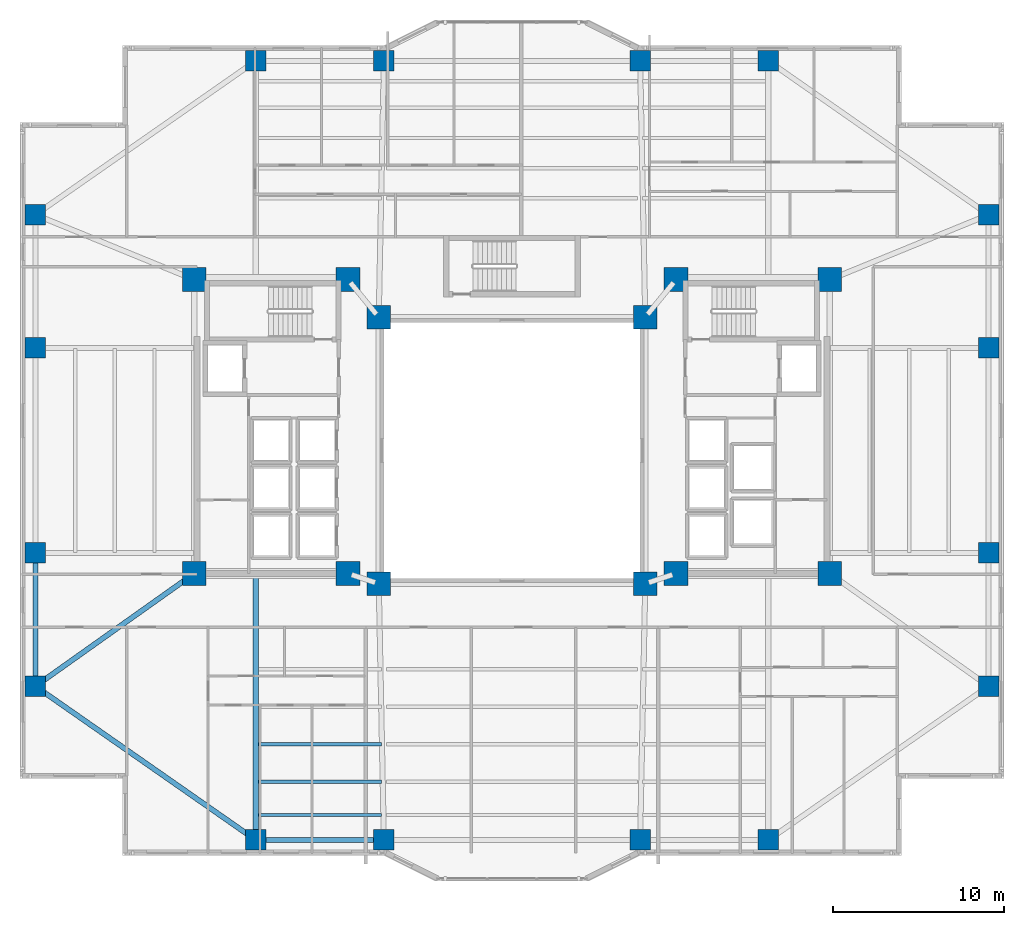
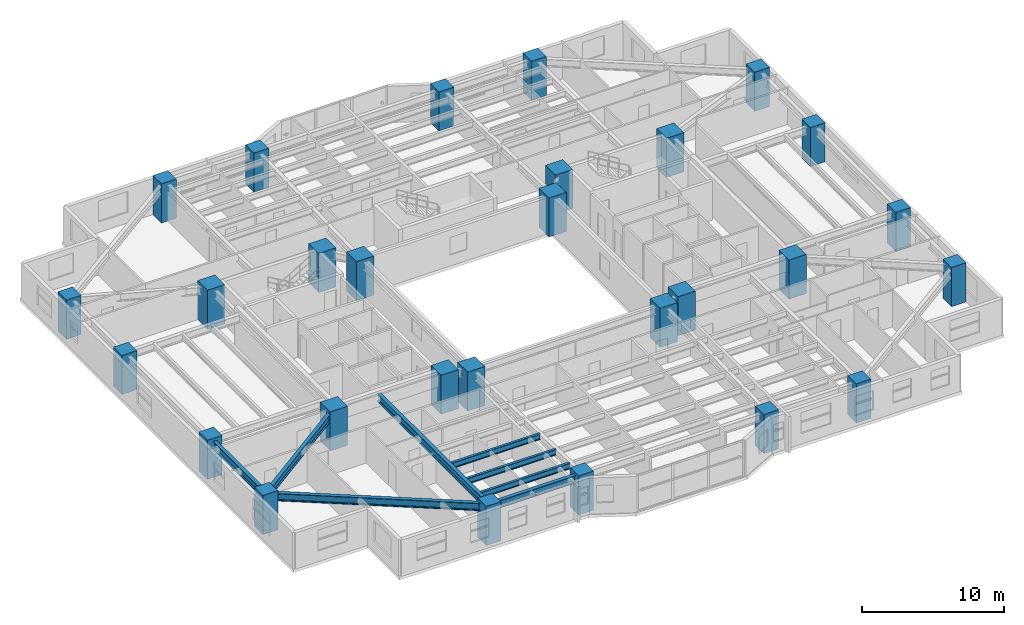
# One storey, part 1 of 20: 28 columns, 8 beams.
"""IFC4 building model written with IfcOpenShell, lengths in metres."""

import ifcopenshell
import ifcopenshell.guid

model = None  # the IFC model being written
_history = None  # IfcOwnerHistory: only IFC2X3 demands one
_inside = {}  # id of a spatial element -> (the spatial element, [elements in it])
_under = {}  # id of a project, library or spatial element -> (it, [spatial elements below it])
_declared = {}  # id of a project -> (the project, [libraries it declares])
_typed = {}  # id of a type object -> (the type object, [elements of that type])
_made_of = {}  # id of a material, layer set ... -> (it, [elements and type objects made of it])


def new_model(schema):
    """Start an empty IFC model of exactly this schema.

    Asked for "IFC4X3", IfcOpenShell would pick the latest addendum, in which some entities
    have other attributes; the version numbers below select the first issue.
    IFC2X3 requires an IfcOwnerHistory on every rooted entity: one is made here for all.
    """
    global model, _history
    if schema == "IFC4X3":
        model = ifcopenshell.file(schema_version=(4, 3, 0, 0))
    else:
        model = ifcopenshell.file(schema=schema)
    _inside.clear()
    _under.clear()
    _declared.clear()
    _typed.clear()
    _made_of.clear()
    _history = None
    if model.schema == "IFC2X3":
        org = make("IfcOrganization", Name="unknown")
        user = make(
            "IfcPersonAndOrganization",
            ThePerson=make("IfcPerson", FamilyName="unknown"),
            TheOrganization=org,
        )
        app = make(
            "IfcApplication",
            ApplicationDeveloper=org,
            Version="unknown",
            ApplicationFullName="unknown",
            ApplicationIdentifier="unknown",
        )
        _history = make(
            "IfcOwnerHistory",
            OwningUser=user,
            OwningApplication=app,
            ChangeAction="ADDED",
            CreationDate=0,
        )
    return model


def make(cls, **values):
    """One entity of the class cls with the attributes given. An attribute that is None is left unset."""
    return model.create_entity(
        cls, **{name: value for name, value in values.items() if value is not None}
    )


def rooted(cls, **values):
    """An entity with a GlobalId (a new one), such as an element, a storey or a relation."""
    return make(cls, GlobalId=ifcopenshell.guid.new(), OwnerHistory=_history, **values)


def si_unit(unit_type, name, prefix=None):
    """IfcSIUnit, for example si_unit("LENGTHUNIT", "METRE", prefix="MILLI")."""
    return make("IfcSIUnit", UnitType=unit_type, Prefix=prefix, Name=name)


def assignment(units):
    """IfcUnitAssignment: the units of a project."""
    return None if units is None else make("IfcUnitAssignment", Units=units)


def point(xyz):
    """IfcCartesianPoint."""
    return None if xyz is None else make("IfcCartesianPoint", Coordinates=xyz)


def direction(xyz):
    """IfcDirection."""
    return None if xyz is None else make("IfcDirection", DirectionRatios=xyz)


def frame(location, z_axis=None, x_axis=None):
    """IfcAxis2Placement3D, a coordinate frame: its origin and axes. An axis left out is left unset."""
    return make(
        "IfcAxis2Placement3D",
        Location=point(location),
        Axis=direction(z_axis),
        RefDirection=direction(x_axis),
    )


def frame_2d(location, x_axis=None):
    """IfcAxis2Placement2D, a coordinate frame in the plane: its origin and x axis."""
    return make(
        "IfcAxis2Placement2D", Location=point(location), RefDirection=direction(x_axis)
    )


def origin():
    """The frame at (0, 0, 0) with its axes left unset."""
    return frame((0.0, 0.0, 0.0))


def origin_2d():
    """The frame at (0, 0) in the plane with its x axis left unset."""
    return frame_2d((0.0, 0.0))


def place(relative_to, where):
    """IfcLocalPlacement: puts the frame where relative to a parent placement (None: the world)."""
    return make(
        "IfcLocalPlacement", PlacementRelTo=relative_to, RelativePlacement=where
    )


def context(
    kind, dimensions, precision=None, world=None, true_north=None, identifier=None
):
    """IfcGeometricRepresentationContext, for example the 3D "Model" context."""
    return make(
        "IfcGeometricRepresentationContext",
        ContextIdentifier=identifier,
        ContextType=kind,
        CoordinateSpaceDimension=dimensions,
        Precision=precision,
        WorldCoordinateSystem=world,
        TrueNorth=true_north,
    )


def subcontext(parent, identifier, kind, view, scale=None):
    """IfcGeometricRepresentationSubContext, for example "Body" below "Model"."""
    return make(
        "IfcGeometricRepresentationSubContext",
        ContextIdentifier=identifier,
        ContextType=kind,
        ParentContext=parent,
        TargetScale=scale,
        TargetView=view,
    )


def project(units=None, contexts=None):
    """IfcProject with its units and contexts."""
    return rooted(
        "IfcProject",
        Name="project",
        RepresentationContexts=contexts,
        UnitsInContext=assignment(units),
    )


def spatial(cls, under=None, at=None, **own):
    """A site, building, storey or space (cls), placed at a placement, below another one or the project."""
    s = rooted(cls, ObjectPlacement=at, **own)
    if under is not None:
        _under.setdefault(under.id(), (under, []))[1].append(s)
    return s


def profile(cls, at=None, kind="AREA", **sizes):
    """A parametric profile (cls). Its sizes go by their IFC names, for example OverallWidth=200.0."""
    return make(cls, ProfileType=kind, Position=at, **sizes)


def rectangle(**sizes):
    """IfcRectangleProfileDef."""
    return profile("IfcRectangleProfileDef", **sizes)


def i_section(**sizes):
    """IfcIShapeProfileDef."""
    return profile("IfcIShapeProfileDef", **sizes)


def extrude(swept, where, along, depth):
    """IfcExtrudedAreaSolid: the profile swept, set in the frame where, extruded along a direction by depth."""
    return make(
        "IfcExtrudedAreaSolid",
        SweptArea=swept,
        Position=where,
        ExtrudedDirection=direction(along),
        Depth=depth,
    )


def shape(context_of_items, identifier, shape_type, items):
    """IfcShapeRepresentation: the items that make up one representation, for example the "Body"."""
    return make(
        "IfcShapeRepresentation",
        ContextOfItems=context_of_items,
        RepresentationIdentifier=identifier,
        RepresentationType=shape_type,
        Items=items,
    )


def material(Name=None, Category=None):
    """IfcMaterial."""
    return make("IfcMaterial", Name=Name, Category=Category)


def material_profile(
    of_material, cross_section, Name=None, Category=None, Priority=None
):
    """IfcMaterialProfile: a cross section and its material."""
    return make(
        "IfcMaterialProfile",
        Name=Name,
        Material=of_material,
        Profile=cross_section,
        Priority=Priority,
        Category=Category,
    )


def profile_set(profiles, Name=None, composite=None):
    """IfcMaterialProfileSet."""
    return make(
        "IfcMaterialProfileSet",
        Name=Name,
        MaterialProfiles=profiles,
        CompositeProfile=composite,
    )


def made_of(thing, what):
    """Note that an element or type object is made of a material, layer set ...; save() writes the relation."""
    if what is not None:
        _made_of.setdefault(what.id(), (what, []))[1].append(thing)
    return thing


def type_object(cls, material=None, **own):
    """A type object (cls), such as IfcWallType, which elements share."""
    return made_of(rooted(cls, **own), material)


def element(
    cls,
    number,
    at=None,
    inside=None,
    cuts=None,
    type_object=None,
    material=None,
    context=None,
    identifier="Body",
    shape_type=None,
    held_by="IfcProductDefinitionShape",
    body=None,
    shapes=None,
    **own,
):
    """One element of the class cls, such as IfcWall. Its Tag is "e" and its number.

    at: its placement. inside: the storey or other place that contains it. cuts: it is an
    opening in that element (IfcRelVoidsElement). A single representation is given by context,
    identifier, shape_type and body (its items); several are given by shapes. held_by: the class
    of the entity that holds the representations. save() writes the other relations.
    """
    e = rooted(cls, Tag="e%d" % number, ObjectPlacement=at, **own)
    if body is not None:
        shapes = [shape(context, identifier, shape_type, body)]
    if shapes is not None:
        e.Representation = make(held_by, Representations=shapes)
    if inside is not None:
        _inside.setdefault(inside.id(), (inside, []))[1].append(e)
    if cuts is not None:
        rooted(
            "IfcRelVoidsElement", RelatingBuildingElement=cuts, RelatedOpeningElement=e
        )
    if type_object is not None:
        _typed.setdefault(type_object.id(), (type_object, []))[1].append(e)
    return made_of(e, material)


def aggregate(whole, parts):
    """IfcRelAggregates: a whole, such as a stair, and the parts it consists of."""
    return rooted("IfcRelAggregates", RelatingObject=whole, RelatedObjects=parts)


def save(model, path):
    """Write the relations noted so far, then the file.

    IfcRelAggregates (storeys below a building ...), IfcRelContainedInSpatialStructure (elements
    in a storey), IfcRelDefinesByType, IfcRelAssociatesMaterial and IfcRelDeclares: one each for
    every whole, place, type object, material and project.
    """
    for whole, parts in _under.values():
        aggregate(whole, parts)
    for where, things in _inside.values():
        rooted(
            "IfcRelContainedInSpatialStructure",
            RelatedElements=things,
            RelatingStructure=where,
        )
    for kind, things in _typed.values():
        rooted("IfcRelDefinesByType", RelatedObjects=things, RelatingType=kind)
    for what, things in _made_of.values():
        rooted("IfcRelAssociatesMaterial", RelatedObjects=things, RelatingMaterial=what)
    for by, libraries in _declared.values():
        rooted("IfcRelDeclares", RelatingContext=by, RelatedDefinitions=libraries)
    model.write(path)


model = new_model("IFC4")

# Units and contexts
model_context = context("Model", 3, precision=1e-05, world=origin(), true_north=direction((0.0, 1.0)))
body_context = subcontext(model_context, "Body", "Model", "MODEL_VIEW")
ifc_project = project(units=[si_unit("LENGTHUNIT", "METRE"), si_unit("AREAUNIT", "SQUARE_METRE"), si_unit("VOLUMEUNIT", "CUBIC_METRE"), si_unit("PLANEANGLEUNIT", "RADIAN"), si_unit("MASSUNIT", "GRAM", prefix="KILO")], contexts=[model_context])

# Site, building, storey
site_placement = place(None, origin())
site = spatial("IfcSite", under=ifc_project, at=site_placement, CompositionType="ELEMENT")
building_placement = place(site_placement, origin())
building = spatial("IfcBuilding", under=site, at=building_placement, Name="Tarnavaz Court Tower", CompositionType="ELEMENT")
storey_placement = place(building_placement, frame((0.0, 0.0, 30.699951171875)))
storey = spatial("IfcBuildingStorey", under=building, at=storey_placement, Name="L07", CompositionType="ELEMENT", Elevation=30.699951171875)

# Columns
ifc_material_1 = material(Name="Concrete C60/75", Category="concrete")
ifc_material_profile_1 = material_profile(ifc_material_1, rectangle(XDim=1.199951171875, YDim=1.199951171875, at=origin_2d()), Name="RC 1200X1200")
ifc_profile_set_1 = profile_set([ifc_material_profile_1], Name="Concrete C60/75")
column_type_1 = type_object("IfcColumnType", Name="CL-RC1200", PredefinedType="COLUMN", material=ifc_profile_set_1)
for number, where, z_axis, x_axis, name in (
    (1, (-15.0, 22.800048828125, 0.0), (0.0, 0.0, 1.0), (1.0, 0.0, 0.0), "L07 Column PN-1"),
    (2, (-7.5, 22.800048828125, 0.0), (0.0, 0.0, 1.0), (1.0, 0.0, 0.0), "L07 Column PN-2"),
    (3, (7.5, 22.800048828125, 0.0), (0.0, 0.0, 1.0), (1.0, 0.0, 0.0), "L07 Column PN-3"),
    (4, (15.0, 22.800048828125, 0.0), (0.0, 0.0, 1.0), (1.0, 0.0, 0.0), "L07 Column PN-4"),
    (5, (-15.0, -22.800048828125, 0.0), (0.0, 0.0, 1.0), (1.0, 0.0, 0.0), "L07 Column PS-1"),
    (6, (-7.5, -22.800048828125, 0.0), (0.0, 0.0, 1.0), (1.0, 0.0, 0.0), "L07 Column PS-2"),
    (7, (7.5, -22.800048828125, 0.0), (0.0, 0.0, 1.0), (1.0, 0.0, 0.0), "L07 Column PS-3"),
    (8, (15.0, -22.800048828125, 0.0), (0.0, 0.0, 1.0), (1.0, 0.0, 0.0), "L07 Column PS-4"),
    (9, (27.89990234375, -13.800048828125, 0.0), (0.0, 0.0, 1.0), (1.0, 0.0, 0.0), "L07 Column PE-1"),
    (10, (27.89990234375, -6.0, 0.0), (0.0, 0.0, 1.0), (1.0, 0.0, 0.0), "L07 Column PE-2"),
    (11, (27.89990234375, 6.0, 0.0), (0.0, 0.0, 1.0), (1.0, 0.0, 0.0), "L07 Column PE-3"),
    (12, (27.89990234375, 13.800048828125, 0.0), (0.0, 0.0, 1.0), (1.0, 0.0, 0.0), "L07 Column PE-4"),
    (13, (-27.89990234375, -13.800048828125, 0.0), (0.0, 0.0, 1.0), (1.0, 0.0, 0.0), "L07 Column PW-1"),
    (14, (-27.89990234375, -6.0, 0.0), (0.0, 0.0, 1.0), (1.0, 0.0, 0.0), "L07 Column PW-2"),
    (15, (-27.89990234375, 6.0, 0.0), (0.0, 0.0, 1.0), (1.0, 0.0, 0.0), "L07 Column PW-3"),
    (16, (-27.89990234375, 13.800048828125, 0.0), (0.0, 0.0, 1.0), (1.0, 0.0, 0.0), "L07 Column PW-4"),
):
    element("IfcColumn", number, at=place(storey_placement, frame(where, z_axis=z_axis, x_axis=x_axis)), inside=storey, type_object=column_type_1, Name=name, PredefinedType="COLUMN", context=body_context, shape_type="SweptSolid", body=[
        extrude(rectangle(XDim=1.199951171875, YDim=1.199951171875, at=origin_2d()), origin(), (0.0, 0.0, 1.0), 3.35009765625),
    ])
ifc_material_profile_2 = material_profile(ifc_material_1, rectangle(XDim=1.39990234375, YDim=1.39990234375, at=origin_2d()), Name="RC 1400X1400")
ifc_profile_set_2 = profile_set([ifc_material_profile_2], Name="Concrete C60/75")
column_type_2 = type_object("IfcColumnType", Name="CL-RC1400", PredefinedType="COLUMN", material=ifc_profile_set_2)
for number, where, z_axis, x_axis, name in (
    (17, (-7.800048828125, -7.800048828125, 0.0), (0.0, 0.0, 1.0), (1.0, 0.0, 0.0), "L07 Column IW-SW"),
    (18, (7.800048828125, -7.800048828125, 0.0), (0.0, 0.0, 1.0), (1.0, 0.0, 0.0), "L07 Column IW-SE"),
    (19, (-7.800048828125, 7.800048828125, 0.0), (0.0, 0.0, 1.0), (1.0, 0.0, 0.0), "L07 Column IW-NW"),
    (20, (7.800048828125, 7.800048828125, 0.0), (0.0, 0.0, 1.0), (1.0, 0.0, 0.0), "L07 Column IW-NE"),
    (21, (-9.60009765625, -7.199951171875, 0.0), (0.0, 0.0, 1.0), (1.0, 0.0, 0.0), "L07 Column CW-SI"),
    (22, (-9.60009765625, 10.0, 0.0), (0.0, 0.0, 1.0), (1.0, 0.0, 0.0), "L07 Column CW-NI"),
    (23, (9.60009765625, -7.199951171875, 0.0), (0.0, 0.0, 1.0), (1.0, 0.0, 0.0), "L07 Column CE-SI"),
    (24, (9.60009765625, 10.0, 0.0), (0.0, 0.0, 1.0), (1.0, 0.0, 0.0), "L07 Column CE-NI"),
    (25, (-18.60009765625, -7.199951171875, 0.0), (0.0, 0.0, 1.0), (1.0, 0.0, 0.0), "L07 Column CW-SO"),
    (26, (-18.60009765625, 10.0, 0.0), (0.0, 0.0, 1.0), (1.0, 0.0, 0.0), "L07 Column CW-NO"),
    (27, (18.60009765625, -7.199951171875, 0.0), (0.0, 0.0, 1.0), (1.0, 0.0, 0.0), "L07 Column CE-SO"),
    (28, (18.60009765625, 10.0, 0.0), (0.0, 0.0, 1.0), (1.0, 0.0, 0.0), "L07 Column CE-NO"),
):
    element("IfcColumn", number, at=place(storey_placement, frame(where, z_axis=z_axis, x_axis=x_axis)), inside=storey, type_object=column_type_2, Name=name, PredefinedType="COLUMN", context=body_context, shape_type="SweptSolid", body=[
        extrude(rectangle(XDim=1.39990234375, YDim=1.39990234375, at=origin_2d()), origin(), (0.0, 0.0, 1.0), 3.35009765625),
    ])

# Beams
ifc_material_2 = material(Name="Steel S355", Category="steel")
ifc_material_profile_3 = material_profile(ifc_material_2, i_section(OverallWidth=0.300048828125, OverallDepth=0.64990234375, WebThickness=0.01611328125, FlangeThickness=0.031005859375, FilletRadius=0.027099609375, at=origin_2d()), Name="HEB 650")
ifc_profile_set_3 = profile_set([ifc_material_profile_3], Name="Steel S355")
beam_type_1 = type_object("IfcBeamType", Name="BM-G-HEB650", PredefinedType="USERDEFINED", material=ifc_profile_set_3)
beam_1_placement = place(storey_placement, frame((-15.0, -7.239990234375, 2.775146484375), z_axis=(0.0, -1.0, 0.0), x_axis=(1.0, 0.0, 0.0)))
element("IfcBeam", 29, at=beam_1_placement, inside=storey, type_object=beam_type_1, Name="L07 Beam RG-05", ObjectType="GIRDER", PredefinedType="USERDEFINED", context=body_context, shape_type="SweptSolid", body=[
    extrude(i_section(OverallWidth=0.300048828125, OverallDepth=0.64990234375, WebThickness=0.01611328125, FlangeThickness=0.031005859375, FilletRadius=0.027099609375, at=origin_2d()), origin(), (0.0, 0.0, 1.0), 15.340087890625),
])
beam_2_placement = place(storey_placement, frame((-18.779296875, -7.327392578125, 2.775146484375), z_axis=(-0.815520027245, -0.578728852886, 0.0), x_axis=(0.578728852886, -0.815520027245, 0.0)))
element("IfcBeam", 30, at=beam_2_placement, inside=storey, type_object=beam_type_1, Name="L07 Beam RG-15", ObjectType="GIRDER", PredefinedType="USERDEFINED", context=body_context, shape_type="SweptSolid", body=[
    extrude(i_section(OverallWidth=0.300048828125, OverallDepth=0.64990234375, WebThickness=0.01611328125, FlangeThickness=0.031005859375, FilletRadius=0.027099609375, at=origin_2d()), origin(), (0.0, 0.0, 1.0), 10.964111328125),
])
ifc_material_profile_4 = material_profile(ifc_material_2, i_section(OverallWidth=0.199951171875, OverallDepth=0.5, WebThickness=0.01025390625, FlangeThickness=0.01611328125, FilletRadius=0.02099609375, at=origin_2d()), Name="IPE 500")
ifc_profile_set_4 = profile_set([ifc_material_profile_4], Name="Steel S355")
beam_type_2 = type_object("IfcBeamType", Name="BM-J-IPE500", PredefinedType="JOIST", material=ifc_profile_set_4)
for number, where, z_axis, x_axis, name in (
    (31, (-14.85009765625, -17.18798828125, 2.85009765625), (1.0, 0.0, 0.0), (0.0, 1.0, 0.0), "L07 Beam JS3-1"),
    (32, (-14.85009765625, -19.384033203125, 2.85009765625), (1.0, 0.0, 0.0), (0.0, 1.0, 0.0), "L07 Beam JS4-1"),
    (33, (-14.85009765625, -21.3359375, 2.85009765625), (1.0, 0.0, 0.0), (0.0, 1.0, 0.0), "L07 Beam JS5-1"),
):
    element("IfcBeam", number, at=place(storey_placement, frame(where, z_axis=z_axis, x_axis=x_axis)), inside=storey, type_object=beam_type_2, Name=name, PredefinedType="JOIST", context=body_context, shape_type="SweptSolid", body=[
        extrude(i_section(OverallWidth=0.199951171875, OverallDepth=0.5, WebThickness=0.01025390625, FlangeThickness=0.01611328125, FilletRadius=0.02099609375, at=origin_2d()), origin(), (0.0, 0.0, 1.0), 7.2001953125),
    ])
ifc_material_profile_5 = material_profile(ifc_material_2, i_section(OverallWidth=0.300048828125, OverallDepth=0.639892578125, WebThickness=0.013427734375, FlangeThickness=0.02587890625, FilletRadius=0.027099609375, at=origin_2d()), Name="HEA 650")
ifc_profile_set_5 = profile_set([ifc_material_profile_5], Name="Steel S355")
beam_type_3 = type_object("IfcBeamType", Name="BM-SP-HEA650", PredefinedType="SPANDREL", material=ifc_profile_set_5)
beam_3_placement = place(storey_placement, frame((-14.780029296875, -22.800048828125, 2.780029296875), z_axis=(1.0, 0.0, 0.0), x_axis=(0.0, 1.0, 0.0)))
element("IfcBeam", 34, at=beam_3_placement, inside=storey, type_object=beam_type_3, Name="L07 Beam PR-PS-1-PS-2", PredefinedType="SPANDREL", context=body_context, shape_type="SweptSolid", body=[
    extrude(i_section(OverallWidth=0.300048828125, OverallDepth=0.639892578125, WebThickness=0.013427734375, FlangeThickness=0.02587890625, FilletRadius=0.027099609375, at=origin_2d()), origin(), (0.0, 0.0, 1.0), 7.06005859375),
])
beam_4_placement = place(storey_placement, frame((-27.89990234375, -13.580078125, 2.780029296875), z_axis=(0.0, 1.0, 0.0), x_axis=(-1.0, 0.0, 0.0)))
element("IfcBeam", 35, at=beam_4_placement, inside=storey, type_object=beam_type_3, Name="L07 Beam PR-PW-1-PW-2", PredefinedType="SPANDREL", context=body_context, shape_type="SweptSolid", body=[
    extrude(i_section(OverallWidth=0.300048828125, OverallDepth=0.639892578125, WebThickness=0.013427734375, FlangeThickness=0.02587890625, FilletRadius=0.027099609375, at=origin_2d()), origin(), (0.0, 0.0, 1.0), 7.360107421875),
])
beam_5_placement = place(storey_placement, frame((-15.180419921875, -22.674072265625, 2.780029296875), z_axis=(-0.820123643324, 0.572186341729, 0.0), x_axis=(-0.572186341729, -0.820123643324, 0.0)))
element("IfcBeam", 36, at=beam_5_placement, inside=storey, type_object=beam_type_3, Name="L07 Beam PR-PS-1-PW-1", PredefinedType="SPANDREL", context=body_context, shape_type="SweptSolid", body=[
    extrude(i_section(OverallWidth=0.300048828125, OverallDepth=0.639892578125, WebThickness=0.013427734375, FlangeThickness=0.02587890625, FilletRadius=0.027099609375, at=origin_2d()), origin(), (0.0, 0.0, 1.0), 15.289306640625),
])

save(model, "model.ifc")
